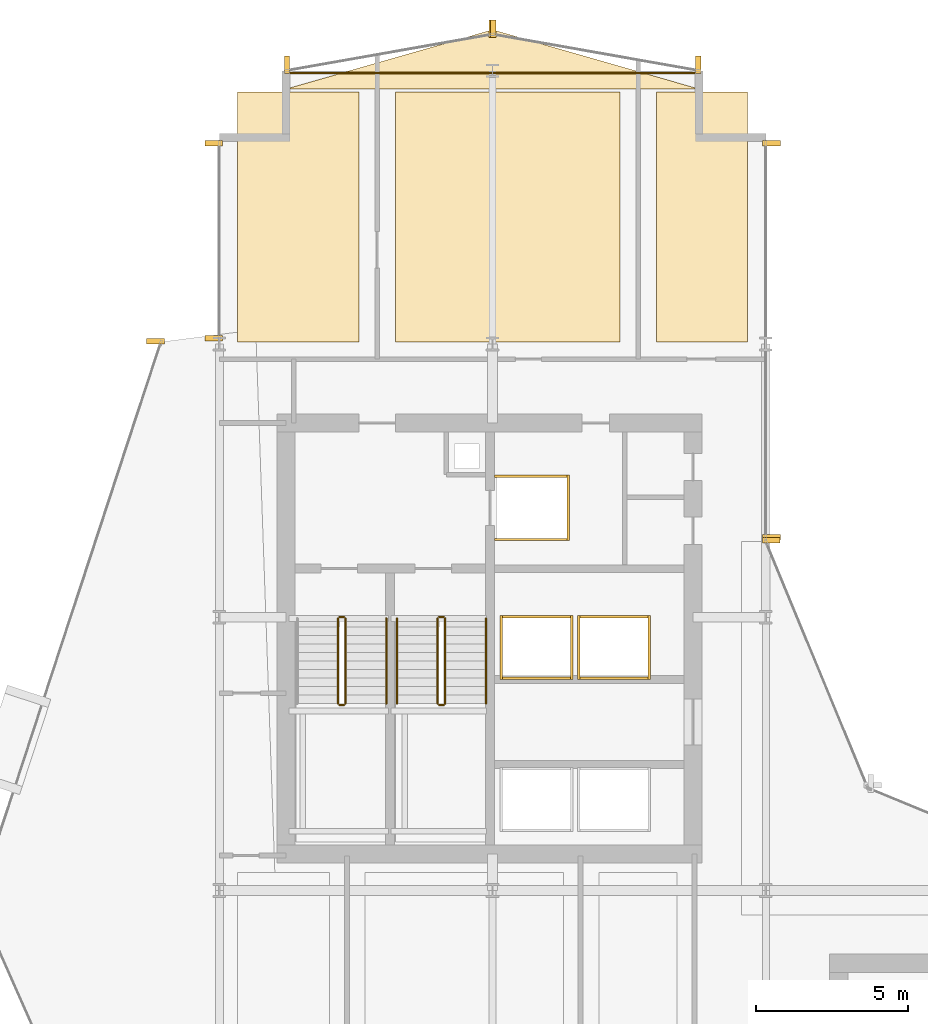
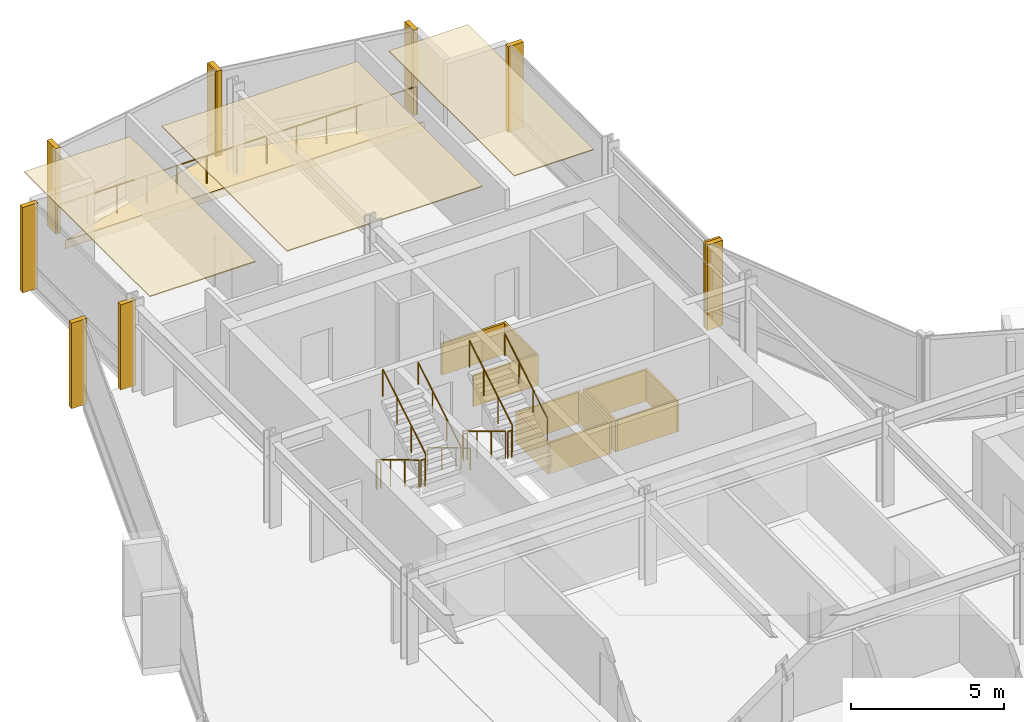
# One storey, part 29 of 29: 25 coverings, 12 railings.
"""IFC4 building model written with IfcOpenShell, lengths in metres."""

from ifc_helpers import new_model, si_unit, direction, frame, origin, origin_2d, place, context, subcontext, project, spatial, polyline, rectangle, circle, outline, extrude, material, layer, layer_set, type_object, element, save


model = new_model("IFC4")

# Units and contexts
model_context = context("Model", 3, precision=1e-05, world=origin(), true_north=direction((0.0, 1.0)))
body_context = subcontext(model_context, "Body", "Model", "MODEL_VIEW")
ifc_project = project(units=[si_unit("LENGTHUNIT", "METRE"), si_unit("AREAUNIT", "SQUARE_METRE"), si_unit("VOLUMEUNIT", "CUBIC_METRE"), si_unit("PLANEANGLEUNIT", "RADIAN"), si_unit("MASSUNIT", "GRAM", prefix="KILO")], contexts=[model_context])

# Site, building, storey
site_placement = place(None, origin())
site = spatial("IfcSite", under=ifc_project, at=site_placement, CompositionType="ELEMENT")
building_placement = place(site_placement, origin())
building = spatial("IfcBuilding", under=site, at=building_placement, Name="Solvaryn Broadcast Tower", CompositionType="ELEMENT")
storey_placement = place(building_placement, frame((0.0, 0.0, 124.800048828125)))
storey = spatial("IfcBuildingStorey", under=building, at=storey_placement, Name="L30", CompositionType="ELEMENT", Elevation=124.800048828125)

# Coverings
ifc_material_1 = material(Name="Micro-Perforated Acoustic Gypsum Ceiling", Category="concrete")
ifc_layer_1 = layer(ifc_material_1, 0.0400390625)
ifc_layer_set_1 = layer_set([ifc_layer_1], Name="CV-CEIL-ACOUSTIC")
covering_type_1 = type_object("IfcCoveringType", Name="CV-CEIL-ACOUSTIC", PredefinedType="CEILING", material=ifc_layer_set_1)
covering_1_placement = place(storey_placement, frame((0.0, 0.0, 3.3798828125)))
element("IfcCovering", 1, at=covering_1_placement, inside=storey, type_object=covering_type_1, Name="L30 Room Acoustic Ceiling 7", PredefinedType="CEILING", context=body_context, shape_type="SweptSolid", body=[
    extrude(outline(polyline([(9.60009765625, 45.070068359375), (13.60009765625, 45.070068359375), (13.60009765625, 53.300048828125), (9.60009765625, 53.300048828125), (9.60009765625, 45.070068359375)])), origin(), (0.0, 0.0, 1.0), 0.0400390625),
])
covering_2_placement = place(storey_placement, frame((0.0, 0.0, 3.3798828125)))
element("IfcCovering", 2, at=covering_2_placement, inside=storey, type_object=covering_type_1, Name="L30 Room Acoustic Ceiling 8", PredefinedType="CEILING", context=body_context, shape_type="SweptSolid", body=[
    extrude(outline(polyline([(14.800048828125, 45.070068359375), (22.199951171875, 45.070068359375), (22.199951171875, 53.300048828125), (14.800048828125, 53.300048828125), (14.800048828125, 45.070068359375)])), origin(), (0.0, 0.0, 1.0), 0.0400390625),
])
covering_3_placement = place(storey_placement, frame((0.0, 0.0, 3.3798828125)))
element("IfcCovering", 3, at=covering_3_placement, inside=storey, type_object=covering_type_1, Name="L30 Room Acoustic Ceiling 9", PredefinedType="CEILING", context=body_context, shape_type="SweptSolid", body=[
    extrude(outline(polyline([(23.39990234375, 45.070068359375), (26.39990234375, 45.070068359375), (26.39990234375, 53.300048828125), (23.39990234375, 53.300048828125), (23.39990234375, 45.070068359375)])), origin(), (0.0, 0.0, 1.0), 0.0400390625),
])
ifc_material_2 = material(Name="Fire-Rated Gypsum Shaftwall Liner", Category="concrete")
ifc_layer_2 = layer(ifc_material_2, 0.080078125)
ifc_layer_set_2 = layer_set([ifc_layer_2], Name="CV-SHAFT-LINER")
covering_type_2 = type_object("IfcCoveringType", Name="CV-SHAFT-LINER", PredefinedType="CLADDING", material=ifc_layer_set_2)
for number, where, z_axis, x_axis, name in (
    (4, (19.300048828125, 40.639892578125, 0.0), (0.0, 0.0, 1.0), (1.0, 0.0, 0.0), "L30 FL1 Hoistway Shaft Liner North"),
    (5, (19.300048828125, 38.56005859375, 0.0), (0.0, 0.0, 1.0), (1.0, 0.0, 0.0), "L30 FL1 Hoistway Shaft Liner South"),
):
    element("IfcCovering", number, at=place(storey_placement, frame(where, z_axis=z_axis, x_axis=x_axis)), inside=storey, type_object=covering_type_2, Name=name, PredefinedType="CLADDING", context=body_context, shape_type="SweptSolid", body=[
        extrude(rectangle(XDim=2.4599609375, YDim=0.080078125, at=origin_2d()), origin(), (0.0, 0.0, 1.0), 1.25),
    ])
covering_4_placement = place(storey_placement, frame((20.489990234375, 39.60009765625, 0.0), z_axis=(0.0, 0.0, 1.0), x_axis=(1.0, 0.0, 0.0)))
element("IfcCovering", 6, at=covering_4_placement, inside=storey, type_object=covering_type_2, Name="L30 FL1 Hoistway Shaft Liner East", PredefinedType="CLADDING", context=body_context, shape_type="SweptSolid", body=[
    extrude(rectangle(XDim=0.080078125, YDim=2.159912109375, at=origin_2d()), origin(), (0.0, 0.0, 1.0), 1.25),
])
for number, where, z_axis, x_axis, name in (
    (7, (19.449951171875, 36.014892578125, 0.0), (0.0, 0.0, 1.0), (1.0, 0.0, 0.0), "L30 PH3 Hoistway Shaft Liner North"),
    (8, (19.449951171875, 33.985107421875, 0.0), (0.0, 0.0, 1.0), (1.0, 0.0, 0.0), "L30 PH3 Hoistway Shaft Liner South"),
):
    element("IfcCovering", number, at=place(storey_placement, frame(where, z_axis=z_axis, x_axis=x_axis)), inside=storey, type_object=covering_type_2, Name=name, PredefinedType="CLADDING", context=body_context, shape_type="SweptSolid", body=[
        extrude(rectangle(XDim=2.409912109375, YDim=0.080078125, at=origin_2d()), origin(), (0.0, 0.0, 1.0), 1.25),
    ])
for number, where, z_axis, x_axis, name in (
    (9, (20.614990234375, 35.0, 0.0), (0.0, 0.0, 1.0), (1.0, 0.0, 0.0), "L30 PH3 Hoistway Shaft Liner East"),
    (10, (18.284912109375, 35.0, 0.0), (0.0, 0.0, 1.0), (1.0, 0.0, 0.0), "L30 PH3 Hoistway Shaft Liner West"),
):
    element("IfcCovering", number, at=place(storey_placement, frame(where, z_axis=z_axis, x_axis=x_axis)), inside=storey, type_object=covering_type_2, Name=name, PredefinedType="CLADDING", context=body_context, shape_type="SweptSolid", body=[
        extrude(rectangle(XDim=0.080078125, YDim=2.110107421875, at=origin_2d()), origin(), (0.0, 0.0, 1.0), 1.25),
    ])
for number, where, z_axis, x_axis, name in (
    (11, (22.0, 36.014892578125, 0.0), (0.0, 0.0, 1.0), (1.0, 0.0, 0.0), "L30 PH4 Hoistway Shaft Liner North"),
    (12, (22.0, 33.985107421875, 0.0), (0.0, 0.0, 1.0), (1.0, 0.0, 0.0), "L30 PH4 Hoistway Shaft Liner South"),
):
    element("IfcCovering", number, at=place(storey_placement, frame(where, z_axis=z_axis, x_axis=x_axis)), inside=storey, type_object=covering_type_2, Name=name, PredefinedType="CLADDING", context=body_context, shape_type="SweptSolid", body=[
        extrude(rectangle(XDim=2.409912109375, YDim=0.080078125, at=origin_2d()), origin(), (0.0, 0.0, 1.0), 1.25),
    ])
for number, where, z_axis, x_axis, name in (
    (13, (23.1650390625, 35.0, 0.0), (0.0, 0.0, 1.0), (1.0, 0.0, 0.0), "L30 PH4 Hoistway Shaft Liner East"),
    (14, (20.8349609375, 35.0, 0.0), (0.0, 0.0, 1.0), (1.0, 0.0, 0.0), "L30 PH4 Hoistway Shaft Liner West"),
):
    element("IfcCovering", number, at=place(storey_placement, frame(where, z_axis=z_axis, x_axis=x_axis)), inside=storey, type_object=covering_type_2, Name=name, PredefinedType="CLADDING", context=body_context, shape_type="SweptSolid", body=[
        extrude(rectangle(XDim=0.080078125, YDim=2.110107421875, at=origin_2d()), origin(), (0.0, 0.0, 1.0), 1.25),
    ])
ifc_material_3 = material(Name="Extruded Architectural Terracotta Fin", Category="masonry")
ifc_layer_3 = layer(ifc_material_3, 0.179931640625)
ifc_layer_set_3 = layer_set([ifc_layer_3], Name="CV-TC-FIN")
covering_type_3 = type_object("IfcCoveringType", Name="CV-TC-FIN", PredefinedType="USERDEFINED", material=ifc_layer_set_3)
for number, where, z_axis, x_axis, name in (
    (15, (6.898681640625, 45.0947265625, 0.0), (0.0, 0.0, 1.0), (1.0, 0.0, 0.0), "L30 Terracotta Vertical Fin FIN-L30-DR1-M00"),
    (16, (8.8125, 45.197021484375, 0.0), (0.0, 0.0, 1.0), (1.0, 0.0, 0.0), "L30 Terracotta Vertical Fin FIN-L30-W2-M00"),
    (17, (8.8125, 51.6201171875, 0.0), (0.0, 0.0, 1.0), (1.0, 0.0, 0.0), "L30 Terracotta Vertical Fin FIN-L30-W2-M01"),
    (18, (27.1875, 51.6201171875, 0.0), (0.0, 0.0, 1.0), (1.0, 0.0, 0.0), "L30 Terracotta Vertical Fin FIN-L30-IV-M00"),
    (19, (27.1875, 38.6298828125, 0.0), (0.0, 0.0, 1.0), (1.0, 0.0, 0.0), "L30 Terracotta Vertical Fin FIN-L30-IV-M01"),
    (20, (27.177978515625, 38.541259765625, 0.0), (0.0, 0.0, 1.0), (1.0, 0.0, 0.0), "L30 Terracotta Vertical Fin FIN-L30-CN2-M01"),
):
    element("IfcCovering", number, at=place(storey_placement, frame(where, z_axis=z_axis, x_axis=x_axis)), inside=storey, type_object=covering_type_3, Name=name, ObjectType="FIN", PredefinedType="USERDEFINED", context=body_context, shape_type="SweptSolid", body=[
        extrude(rectangle(XDim=0.580078125, YDim=0.179931640625, at=origin_2d()), origin(), (0.0, 0.0, 1.0), 3.419921875),
    ])
for number, where, z_axis, x_axis, name in (
    (21, (24.7705078125, 54.192626953125, 0.0), (0.0, 0.0, 1.0), (1.0, 0.0, 0.0), "L30 Terracotta Vertical Fin FIN-L30-NT1-M00"),
    (22, (18.029541015625, 55.38232421875, 0.0), (0.0, 0.0, 1.0), (1.0, 0.0, 0.0), "L30 Terracotta Vertical Fin FIN-L30-NT1-M01"),
    (23, (17.970458984375, 55.38232421875, 0.0), (0.0, 0.0, 1.0), (1.0, 0.0, 0.0), "L30 Terracotta Vertical Fin FIN-L30-NT2-M00"),
    (24, (11.2294921875, 54.192626953125, 0.0), (0.0, 0.0, 1.0), (1.0, 0.0, 0.0), "L30 Terracotta Vertical Fin FIN-L30-NT2-M01"),
):
    element("IfcCovering", number, at=place(storey_placement, frame(where, z_axis=z_axis, x_axis=x_axis)), inside=storey, type_object=covering_type_3, Name=name, ObjectType="FIN", PredefinedType="USERDEFINED", context=body_context, shape_type="SweptSolid", body=[
        extrude(rectangle(XDim=0.179931640625, YDim=0.580078125, at=origin_2d()), origin(), (0.0, 0.0, 1.0), 3.419921875),
    ])
ifc_material_4 = material(Name="Sculpted Architectural Terracotta Wave Fascia", Category="masonry")
ifc_layer_4 = layer(ifc_material_4, 0.340087890625)
ifc_layer_set_4 = layer_set([ifc_layer_4], Name="CV-WAVE-TRAY")
covering_type_4 = type_object("IfcCoveringType", Name="CV-WAVE-TRAY", PredefinedType="CLADDING", material=ifc_layer_set_4)
covering_5_placement = place(storey_placement, frame((0.0, 0.0, -0.300048828125)))
element("IfcCovering", 25, at=covering_5_placement, inside=storey, type_object=covering_type_4, Name="L30 North Curved Wing Deck", PredefinedType="CLADDING", context=body_context, shape_type="SweptSolid", body=[
    extrude(outline(polyline([(11.199951171875, 53.39990234375), (24.800048828125, 53.39990234375), (18.0, 55.35009765625), (11.199951171875, 53.39990234375)])), origin(), (0.0, 0.0, 1.0), 0.330078125),
])

# Railings
ifc_material_5 = material(Name="Painted Steel Stair Well Guard", Category="steel")
railing_type_1 = type_object("IfcRailingType", Name="RL-STAIR-GUARD", PredefinedType="BALUSTRADE", material=ifc_material_5)
railing_1_placement = place(storey_placement, frame((12.909912109375, 35.9599609375, 0.168212890625)))
element("IfcRailing", 26, at=railing_1_placement, inside=storey, type_object=railing_type_1, Name="L30 ST1 stair guard 1", PredefinedType="BALUSTRADE", context=body_context, shape_type="SweptSolid", body=[
    extrude(circle(Radius=0.02392578125, at=origin_2d()), frame((0.0, 0.0, 1.076171875), z_axis=(0.0, -0.857275202839, 0.514858452973), x_axis=(1.0, 0.0, 0.0)), (0.0, 0.0, 1.0), 3.26611328125),
    extrude(circle(Radius=0.02099609375, at=origin_2d()), origin(), (0.0, 0.0, 1.0), 1.052001953125),
    extrude(circle(Radius=0.02099609375, at=origin_2d()), frame((0.0, -0.933349609375, 0.560546875)), (0.0, 0.0, 1.0), 1.052001953125),
    extrude(circle(Radius=0.02099609375, at=origin_2d()), frame((0.0, -1.86669921875, 1.12109375)), (0.0, 0.0, 1.0), 1.052001953125),
    extrude(circle(Radius=0.02099609375, at=origin_2d()), frame((0.0, -2.800048828125, 1.681640625)), (0.0, 0.0, 1.0), 1.052001953125),
])
railing_2_placement = place(storey_placement, frame((12.9599609375, 33.110107421875, 1.849853515625)))
element("IfcRailing", 27, at=railing_2_placement, inside=storey, type_object=railing_type_1, Name="L30 ST1 stair guard 2", PredefinedType="BALUSTRADE", context=body_context, shape_type="SweptSolid", body=[
    extrude(circle(Radius=0.02392578125, at=origin_2d()), frame((0.0, 0.0, 1.076171875), z_axis=(1.0, 0.0, 0.0), x_axis=(0.0, 1.0, 0.0)), (0.0, 0.0, 1.0), 0.150146484375),
    extrude(circle(Radius=0.02099609375, at=origin_2d()), origin(), (0.0, 0.0, 1.0), 1.052001953125),
    extrude(circle(Radius=0.02099609375, at=origin_2d()), frame((0.150146484375, 0.0, 0.0)), (0.0, 0.0, 1.0), 1.052001953125),
])
railing_3_placement = place(storey_placement, frame((13.159912109375, 33.159912109375, 2.01806640625)))
element("IfcRailing", 28, at=railing_3_placement, inside=storey, type_object=railing_type_1, Name="L30 ST1 stair guard 3", PredefinedType="BALUSTRADE", context=body_context, shape_type="SweptSolid", body=[
    extrude(circle(Radius=0.02392578125, at=origin_2d()), frame((0.0, 0.0, 1.076171875), z_axis=(0.0, 0.857242210791, 0.514913383045), x_axis=(-1.0, 0.0, 0.0)), (0.0, 0.0, 1.0), 3.266357421875),
    extrude(circle(Radius=0.02099609375, at=origin_2d()), origin(), (0.0, 0.0, 1.0), 1.052001953125),
    extrude(circle(Radius=0.02099609375, at=origin_2d()), frame((0.0, 0.933349609375, 0.560546875)), (0.0, 0.0, 1.0), 1.052001953125),
    extrude(circle(Radius=0.02099609375, at=origin_2d()), frame((0.0, 1.86669921875, 1.121337890625)), (0.0, 0.0, 1.0), 1.052001953125),
    extrude(circle(Radius=0.02099609375, at=origin_2d()), frame((0.0, 2.800048828125, 1.681884765625)), (0.0, 0.0, 1.0), 1.052001953125),
])
railing_4_placement = place(storey_placement, frame((12.9599609375, 36.010009765625, 0.0)))
element("IfcRailing", 29, at=railing_4_placement, inside=storey, type_object=railing_type_1, Name="L30 ST1 stair guard 4", PredefinedType="BALUSTRADE", context=body_context, shape_type="SweptSolid", body=[
    extrude(circle(Radius=0.02392578125, at=origin_2d()), frame((0.0, 0.0, 1.076171875), z_axis=(1.0, 0.0, 0.0), x_axis=(0.0, 1.0, 0.0)), (0.0, 0.0, 1.0), 0.150146484375),
    extrude(circle(Radius=0.02099609375, at=origin_2d()), origin(), (0.0, 0.0, 1.0), 1.052001953125),
    extrude(circle(Radius=0.02099609375, at=origin_2d()), frame((0.150146484375, 0.0, 0.0)), (0.0, 0.0, 1.0), 1.052001953125),
])
railing_5_placement = place(storey_placement, frame((16.18994140625, 35.9599609375, 0.168212890625)))
element("IfcRailing", 30, at=railing_5_placement, inside=storey, type_object=railing_type_1, Name="L30 ST2 stair guard 1", PredefinedType="BALUSTRADE", context=body_context, shape_type="SweptSolid", body=[
    extrude(circle(Radius=0.02392578125, at=origin_2d()), frame((0.0, 0.0, 1.076171875), z_axis=(0.0, -0.857275202839, 0.514858452973), x_axis=(1.0, 0.0, 0.0)), (0.0, 0.0, 1.0), 3.26611328125),
    extrude(circle(Radius=0.02099609375, at=origin_2d()), origin(), (0.0, 0.0, 1.0), 1.052001953125),
    extrude(circle(Radius=0.02099609375, at=origin_2d()), frame((0.0, -0.933349609375, 0.560546875)), (0.0, 0.0, 1.0), 1.052001953125),
    extrude(circle(Radius=0.02099609375, at=origin_2d()), frame((0.0, -1.86669921875, 1.12109375)), (0.0, 0.0, 1.0), 1.052001953125),
    extrude(circle(Radius=0.02099609375, at=origin_2d()), frame((0.0, -2.800048828125, 1.681640625)), (0.0, 0.0, 1.0), 1.052001953125),
])
railing_6_placement = place(storey_placement, frame((16.239990234375, 33.110107421875, 1.849853515625)))
element("IfcRailing", 31, at=railing_6_placement, inside=storey, type_object=railing_type_1, Name="L30 ST2 stair guard 2", PredefinedType="BALUSTRADE", context=body_context, shape_type="SweptSolid", body=[
    extrude(circle(Radius=0.02392578125, at=origin_2d()), frame((0.0, 0.0, 1.076171875), z_axis=(1.0, 0.0, 0.0), x_axis=(0.0, 1.0, 0.0)), (0.0, 0.0, 1.0), 0.14990234375),
    extrude(circle(Radius=0.02099609375, at=origin_2d()), origin(), (0.0, 0.0, 1.0), 1.052001953125),
    extrude(circle(Radius=0.02099609375, at=origin_2d()), frame((0.14990234375, 0.0, 0.0)), (0.0, 0.0, 1.0), 1.052001953125),
])
railing_7_placement = place(storey_placement, frame((16.43994140625, 33.159912109375, 2.01806640625)))
element("IfcRailing", 32, at=railing_7_placement, inside=storey, type_object=railing_type_1, Name="L30 ST2 stair guard 3", PredefinedType="BALUSTRADE", context=body_context, shape_type="SweptSolid", body=[
    extrude(circle(Radius=0.02392578125, at=origin_2d()), frame((0.0, 0.0, 1.076171875), z_axis=(0.0, 0.857242210791, 0.514913383045), x_axis=(-1.0, 0.0, 0.0)), (0.0, 0.0, 1.0), 3.266357421875),
    extrude(circle(Radius=0.02099609375, at=origin_2d()), origin(), (0.0, 0.0, 1.0), 1.052001953125),
    extrude(circle(Radius=0.02099609375, at=origin_2d()), frame((0.0, 0.933349609375, 0.560546875)), (0.0, 0.0, 1.0), 1.052001953125),
    extrude(circle(Radius=0.02099609375, at=origin_2d()), frame((0.0, 1.86669921875, 1.121337890625)), (0.0, 0.0, 1.0), 1.052001953125),
    extrude(circle(Radius=0.02099609375, at=origin_2d()), frame((0.0, 2.800048828125, 1.681884765625)), (0.0, 0.0, 1.0), 1.052001953125),
])
railing_8_placement = place(storey_placement, frame((16.239990234375, 36.010009765625, 0.0)))
element("IfcRailing", 33, at=railing_8_placement, inside=storey, type_object=railing_type_1, Name="L30 ST2 stair guard 4", PredefinedType="BALUSTRADE", context=body_context, shape_type="SweptSolid", body=[
    extrude(circle(Radius=0.02392578125, at=origin_2d()), frame((0.0, 0.0, 1.076171875), z_axis=(1.0, 0.0, 0.0), x_axis=(0.0, 1.0, 0.0)), (0.0, 0.0, 1.0), 0.14990234375),
    extrude(circle(Radius=0.02099609375, at=origin_2d()), origin(), (0.0, 0.0, 1.0), 1.052001953125),
    extrude(circle(Radius=0.02099609375, at=origin_2d()), frame((0.14990234375, 0.0, 0.0)), (0.0, 0.0, 1.0), 1.052001953125),
])
ifc_material_6 = material(Name="Brushed Stainless Steel Tubular Handrail", Category="steel")
railing_type_2 = type_object("IfcRailingType", Name="RL-STAIR-HANDRAIL", PredefinedType="HANDRAIL", material=ifc_material_6)
railing_9_placement = place(storey_placement, frame((14.5, 33.159912109375, 2.01806640625)))
element("IfcRailing", 34, at=railing_9_placement, inside=storey, type_object=railing_type_2, Name="L30 ST1 stair handrail 2", PredefinedType="HANDRAIL", context=body_context, shape_type="SweptSolid", body=[
    extrude(circle(Radius=0.02392578125, at=origin_2d()), frame((0.0, 0.0, 0.8759765625), z_axis=(0.0, 0.857242210791, 0.514913383045), x_axis=(-1.0, 0.0, 0.0)), (0.0, 0.0, 1.0), 3.266357421875),
    extrude(circle(Radius=0.02099609375, at=origin_2d()), origin(), (0.0, 0.0, 1.0), 0.851806640625),
    extrude(circle(Radius=0.02099609375, at=origin_2d()), frame((0.0, 0.933349609375, 0.560546875)), (0.0, 0.0, 1.0), 0.851806640625),
    extrude(circle(Radius=0.02099609375, at=origin_2d()), frame((0.0, 1.86669921875, 1.121337890625)), (0.0, 0.0, 1.0), 0.851806640625),
    extrude(circle(Radius=0.02099609375, at=origin_2d()), frame((0.0, 2.800048828125, 1.681884765625)), (0.0, 0.0, 1.0), 0.851806640625),
])
railing_10_placement = place(storey_placement, frame((14.85009765625, 35.9599609375, 0.168212890625)))
element("IfcRailing", 35, at=railing_10_placement, inside=storey, type_object=railing_type_2, Name="L30 ST2 stair handrail 1", PredefinedType="HANDRAIL", context=body_context, shape_type="SweptSolid", body=[
    extrude(circle(Radius=0.02392578125, at=origin_2d()), frame((0.0, 0.0, 0.8759765625), z_axis=(0.0, -0.857275202839, 0.514858452973), x_axis=(1.0, 0.0, 0.0)), (0.0, 0.0, 1.0), 3.26611328125),
    extrude(circle(Radius=0.02099609375, at=origin_2d()), origin(), (0.0, 0.0, 1.0), 0.851806640625),
    extrude(circle(Radius=0.02099609375, at=origin_2d()), frame((0.0, -0.933349609375, 0.560546875)), (0.0, 0.0, 1.0), 0.851806640625),
    extrude(circle(Radius=0.02099609375, at=origin_2d()), frame((0.0, -1.86669921875, 1.12109375)), (0.0, 0.0, 1.0), 0.851806640625),
    extrude(circle(Radius=0.02099609375, at=origin_2d()), frame((0.0, -2.800048828125, 1.681640625)), (0.0, 0.0, 1.0), 0.851806640625),
])
railing_11_placement = place(storey_placement, frame((17.780029296875, 33.159912109375, 2.01806640625)))
element("IfcRailing", 36, at=railing_11_placement, inside=storey, type_object=railing_type_2, Name="L30 ST2 stair handrail 2", PredefinedType="HANDRAIL", context=body_context, shape_type="SweptSolid", body=[
    extrude(circle(Radius=0.02392578125, at=origin_2d()), frame((0.0, 0.0, 0.8759765625), z_axis=(0.0, 0.857242210791, 0.514913383045), x_axis=(-1.0, 0.0, 0.0)), (0.0, 0.0, 1.0), 3.266357421875),
    extrude(circle(Radius=0.02099609375, at=origin_2d()), origin(), (0.0, 0.0, 1.0), 0.851806640625),
    extrude(circle(Radius=0.02099609375, at=origin_2d()), frame((0.0, 0.933349609375, 0.560546875)), (0.0, 0.0, 1.0), 0.851806640625),
    extrude(circle(Radius=0.02099609375, at=origin_2d()), frame((0.0, 1.86669921875, 1.121337890625)), (0.0, 0.0, 1.0), 0.851806640625),
    extrude(circle(Radius=0.02099609375, at=origin_2d()), frame((0.0, 2.800048828125, 1.681884765625)), (0.0, 0.0, 1.0), 0.851806640625),
])
ifc_material_7 = material(Name="Stainless Steel and Laminated Glass Guard", Category="steel")
railing_type_3 = type_object("IfcRailingType", Name="RL-TER-1150", PredefinedType="BALUSTRADE", material=ifc_material_7)
railing_12_placement = place(storey_placement, frame((11.199951171875, 53.919921875, 0.0)))
element("IfcRailing", 37, at=railing_12_placement, inside=storey, type_object=railing_type_3, Name="L30 North Wing Spandrel Edge Guard", PredefinedType="BALUSTRADE", context=body_context, shape_type="SweptSolid", body=[
    extrude(circle(Radius=0.02392578125, at=origin_2d()), frame((0.0, 0.0, 1.1259765625), z_axis=(1.0, 0.0, 0.0), x_axis=(0.0, 1.0, 0.0)), (0.0, 0.0, 1.0), 13.60009765625),
    extrude(circle(Radius=0.02099609375, at=origin_2d()), origin(), (0.0, 0.0, 1.0), 1.101806640625),
    extrude(circle(Radius=0.02099609375, at=origin_2d()), frame((1.13330078125, 0.0, 0.0)), (0.0, 0.0, 1.0), 1.101806640625),
    extrude(circle(Radius=0.02099609375, at=origin_2d()), frame((2.2666015625, 0.0, 0.0)), (0.0, 0.0, 1.0), 1.101806640625),
    extrude(circle(Radius=0.02099609375, at=origin_2d()), frame((3.39990234375, 0.0, 0.0)), (0.0, 0.0, 1.0), 1.101806640625),
    extrude(circle(Radius=0.02099609375, at=origin_2d()), frame((4.533447265625, 0.0, 0.0)), (0.0, 0.0, 1.0), 1.101806640625),
    extrude(circle(Radius=0.02099609375, at=origin_2d()), frame((5.666748046875, 0.0, 0.0)), (0.0, 0.0, 1.0), 1.101806640625),
    extrude(circle(Radius=0.02099609375, at=origin_2d()), frame((6.800048828125, 0.0, 0.0)), (0.0, 0.0, 1.0), 1.101806640625),
    extrude(circle(Radius=0.02099609375, at=origin_2d()), frame((7.933349609375, 0.0, 0.0)), (0.0, 0.0, 1.0), 1.101806640625),
    extrude(circle(Radius=0.02099609375, at=origin_2d()), frame((9.066650390625, 0.0, 0.0)), (0.0, 0.0, 1.0), 1.101806640625),
    extrude(circle(Radius=0.02099609375, at=origin_2d()), frame((10.2001953125, 0.0, 0.0)), (0.0, 0.0, 1.0), 1.101806640625),
    extrude(circle(Radius=0.02099609375, at=origin_2d()), frame((11.33349609375, 0.0, 0.0)), (0.0, 0.0, 1.0), 1.101806640625),
    extrude(circle(Radius=0.02099609375, at=origin_2d()), frame((12.466796875, 0.0, 0.0)), (0.0, 0.0, 1.0), 1.101806640625),
    extrude(circle(Radius=0.02099609375, at=origin_2d()), frame((13.60009765625, 0.0, 0.0)), (0.0, 0.0, 1.0), 1.101806640625),
])

save(model, "model.ifc")
